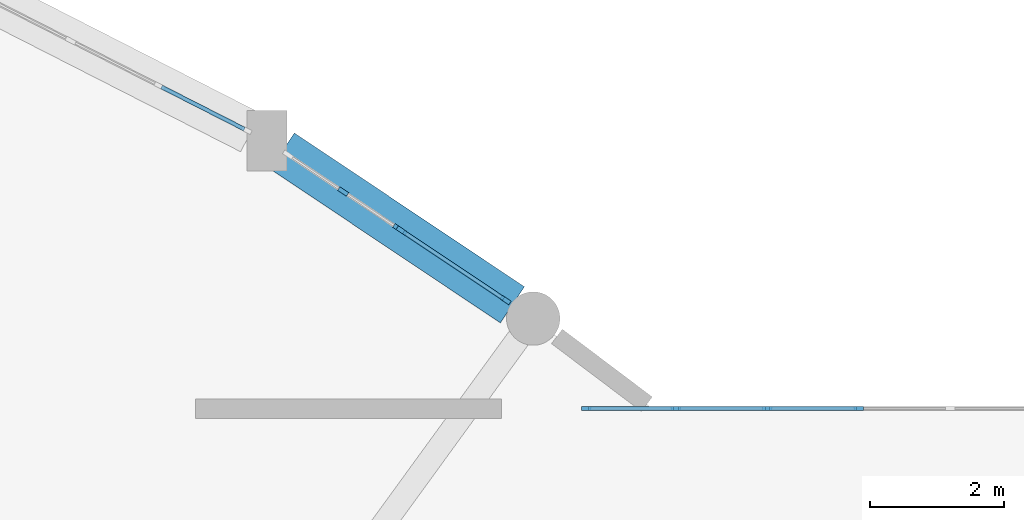
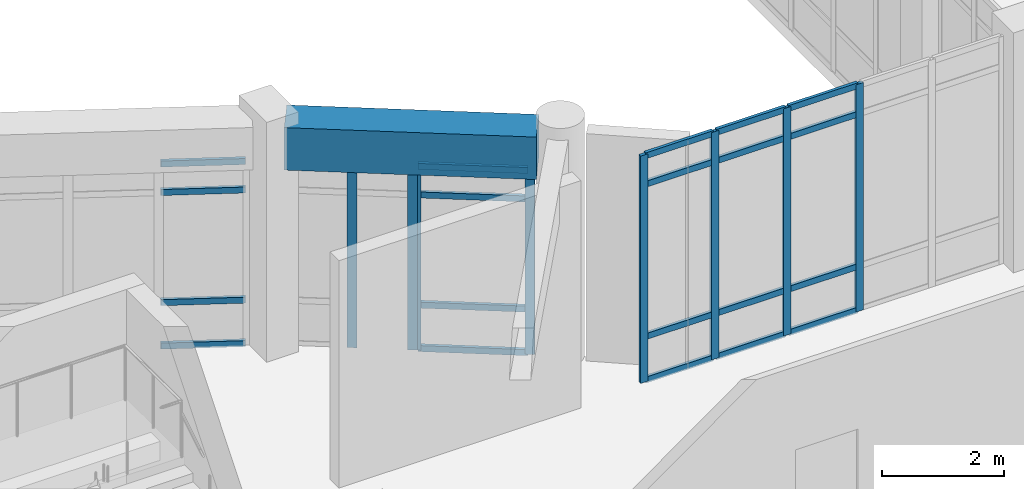
# One storey, part 18 of 65: 28 members, 1 beam, 4 elements without a shape of their own.
"""IFC4 building model written with IfcOpenShell, lengths in metres."""

from ifc_helpers import new_model, si_unit, direction, frame, origin, origin_2d, place, context, subcontext, project, spatial, rectangle, extrude, material, layer, layer_set, material_profile, profile_set, type_object, element, aggregate, save


model = new_model("IFC4")

# Units and contexts
model_context = context("Model", 3, precision=1e-05, world=origin(), true_north=direction((0.0, 1.0)))
body_context = subcontext(model_context, "Body", "Model", "MODEL_VIEW")
ifc_project = project(units=[si_unit("LENGTHUNIT", "METRE"), si_unit("AREAUNIT", "SQUARE_METRE"), si_unit("VOLUMEUNIT", "CUBIC_METRE"), si_unit("PLANEANGLEUNIT", "RADIAN"), si_unit("MASSUNIT", "GRAM", prefix="KILO")], contexts=[model_context])

# Site, building, storey
site_placement = place(None, origin())
site = spatial("IfcSite", under=ifc_project, at=site_placement, CompositionType="ELEMENT")
building_placement = place(site_placement, origin())
building = spatial("IfcBuilding", under=site, at=building_placement, Name="Miralva Faculty of Natural Sciences", CompositionType="ELEMENT")
storey_placement = place(building_placement, frame((0.0, 0.0, 10.199951171875)))
storey = spatial("IfcBuildingStorey", under=building, at=storey_placement, Name="L02", CompositionType="ELEMENT", Elevation=10.199951171875)

# Beam
ifc_material_1 = material(Name="Concrete C40/50", Category="concrete")
ifc_material_profile_1 = material_profile(ifc_material_1, rectangle(XDim=0.64990234375, YDim=0.85009765625, at=origin_2d()), Name="RC 650x850")
ifc_profile_set_1 = profile_set([ifc_material_profile_1], Name="Concrete C40/50")
beam_type = type_object("IfcBeamType", Name="BM-SP03", PredefinedType="SPANDREL", material=ifc_profile_set_1)
beam_placement = place(storey_placement, frame((125.5439453125, 28.554443359375, 4.135009765625), z_axis=(-0.831378794944, 0.555706126759, 0.0), x_axis=(-0.555706126759, -0.831378794944, 0.0)))
element("IfcBeam", 1, at=beam_placement, inside=storey, type_object=beam_type, Name="Curved chord girder SHOUT L02-1", PredefinedType="SPANDREL", context=body_context, shape_type="SweptSolid", body=[
    extrude(rectangle(XDim=0.64990234375, YDim=0.85009765625, at=origin_2d()), origin(), (0.0, 0.0, 1.0), 4.142822265625),
])

# Curtain wall, members
ifc_material_2 = material(Name="Laminated solar-control glass", Category="glass")
ifc_layer_1 = layer(ifc_material_2, 0.179931640625, Name="CW-ARC-L01")
ifc_layer_set_1 = layer_set([ifc_layer_1], Name="Laminated solar-control glass")
curtain_wall_type_1 = type_object("IfcCurtainWallType", Name="CW-ARC-L01", PredefinedType="USERDEFINED", material=ifc_layer_set_1)
curtain_wall_1_placement = place(storey_placement, origin())
curtain_wall_1 = element("IfcCurtainWall", 2, at=curtain_wall_1_placement, inside=storey, type_object=curtain_wall_type_1, Name="Curtain wall CW-02 L02-91", ObjectType="UNITISED CURTAIN WALL", PredefinedType="USERDEFINED")
ifc_material_3 = material(Name="Anodised aluminium", Category="aluminium")
ifc_material_profile_2 = material_profile(ifc_material_3, rectangle(XDim=0.06494140625, YDim=0.159912109375, at=origin_2d()), Name="MULLION 65x160")
ifc_profile_set_2 = profile_set([ifc_material_profile_2], Name="Anodised aluminium")
member_type_1 = type_object("IfcMemberType", Name="CW-M02", PredefinedType="MULLION", material=ifc_profile_set_2)
member_1_placement = place(storey_placement, frame((123.011474609375, 30.25, 0.0), z_axis=(0.0, 0.0, 1.0), x_axis=(0.555589230409, 0.831456918339, 0.0)))
member_1 = element("IfcMember", 3, at=member_1_placement, type_object=member_type_1, Name="CW-02 mullion 2", PredefinedType="MULLION", context=body_context, shape_type="SweptSolid", body=[
    extrude(rectangle(XDim=0.06494140625, YDim=0.159912109375, at=origin_2d()), origin(), (0.0, 0.0, 1.0), 3.705078125),
])
member_2_placement = place(storey_placement, frame((123.836669921875, 29.698486328125, 0.0), z_axis=(0.0, 0.0, 1.0), x_axis=(0.555589230409, 0.831456918339, 0.0)))
member_2 = element("IfcMember", 4, at=member_2_placement, type_object=member_type_1, Name="CW-02 mullion 3", PredefinedType="MULLION", context=body_context, shape_type="SweptSolid", body=[
    extrude(rectangle(XDim=0.06494140625, YDim=0.159912109375, at=origin_2d()), origin(), (0.0, 0.0, 1.0), 3.705078125),
])
aggregate(curtain_wall_1, [member_1, member_2])

curtain_wall_2_placement = place(storey_placement, origin())
curtain_wall_2 = element("IfcCurtainWall", 5, at=curtain_wall_2_placement, inside=storey, type_object=curtain_wall_type_1, Name="Curtain wall CW-02 L02-92", ObjectType="UNITISED CURTAIN WALL", PredefinedType="USERDEFINED")
member_3_placement = place(storey_placement, frame((123.886474609375, 29.665283203125, 0.0), z_axis=(0.0, 0.0, 1.0), x_axis=(0.555546724404, 0.831485319776, 0.0)))
member_3 = element("IfcMember", 6, at=member_3_placement, type_object=member_type_1, Name="CW-02 mullion 1", PredefinedType="MULLION", context=body_context, shape_type="SweptSolid", body=[
    extrude(rectangle(XDim=0.06494140625, YDim=0.159912109375, at=origin_2d()), origin(), (0.0, 0.0, 1.0), 3.705078125),
])
member_4_placement = place(storey_placement, frame((125.441162109375, 28.62646484375, 0.0), z_axis=(0.0, 0.0, 1.0), x_axis=(0.555546724404, 0.831485319776, 0.0)))
member_4 = element("IfcMember", 7, at=member_4_placement, type_object=member_type_1, Name="CW-02 mullion 2", PredefinedType="MULLION", context=body_context, shape_type="SweptSolid", body=[
    extrude(rectangle(XDim=0.06494140625, YDim=0.159912109375, at=origin_2d()), origin(), (0.0, 0.0, 1.0), 3.705078125),
])

ifc_layer_2 = layer(ifc_material_2, 0.179931640625, Name="CW-COM-L01")
ifc_layer_set_2 = layer_set([ifc_layer_2], Name="Laminated solar-control glass")
curtain_wall_type_2 = type_object("IfcCurtainWallType", Name="CW-COM-L01", PredefinedType="USERDEFINED", material=ifc_layer_set_2)
curtain_wall_3_placement = place(storey_placement, origin())
curtain_wall_3 = element("IfcCurtainWall", 8, at=curtain_wall_3_placement, inside=storey, type_object=curtain_wall_type_2, Name="Curtain wall CW-10 L02-299", ObjectType="UNITISED CURTAIN WALL", PredefinedType="USERDEFINED")
ifc_material_profile_3 = material_profile(ifc_material_3, rectangle(XDim=0.06005859375, YDim=0.139892578125, at=origin_2d()), Name="MULLION 60x140")
ifc_profile_set_3 = profile_set([ifc_material_profile_3], Name="Anodised aluminium")
member_type_2 = type_object("IfcMemberType", Name="CW-M03", PredefinedType="MULLION", material=ifc_profile_set_3)
member_5_placement = place(storey_placement, frame((126.64990234375, 27.0, 0.0), z_axis=(0.0, 0.0, 1.0), x_axis=(0.0, 1.0, 0.0)))
member_5 = element("IfcMember", 9, at=member_5_placement, type_object=member_type_2, Name="CW-10 mullion 1", PredefinedType="MULLION", context=body_context, shape_type="SweptSolid", body=[
    extrude(rectangle(XDim=0.06005859375, YDim=0.139892578125, at=origin_2d()), origin(), (0.0, 0.0, 1.0), 4.550048828125),
])
member_6_placement = place(storey_placement, frame((127.989013671875, 27.0, 0.0), z_axis=(0.0, 0.0, 1.0), x_axis=(0.0, 1.0, 0.0)))
member_6 = element("IfcMember", 10, at=member_6_placement, type_object=member_type_2, Name="CW-10 mullion 2", PredefinedType="MULLION", context=body_context, shape_type="SweptSolid", body=[
    extrude(rectangle(XDim=0.06005859375, YDim=0.139892578125, at=origin_2d()), origin(), (0.0, 0.0, 1.0), 4.550048828125),
])
member_7_placement = place(storey_placement, frame((129.35791015625, 27.0, 0.0), z_axis=(0.0, 0.0, 1.0), x_axis=(0.0, 1.0, 0.0)))
member_7 = element("IfcMember", 11, at=member_7_placement, type_object=member_type_2, Name="CW-10 mullion 3", PredefinedType="MULLION", context=body_context, shape_type="SweptSolid", body=[
    extrude(rectangle(XDim=0.06005859375, YDim=0.139892578125, at=origin_2d()), origin(), (0.0, 0.0, 1.0), 4.550048828125),
])
member_8_placement = place(storey_placement, frame((130.72705078125, 27.0, 0.0), z_axis=(0.0, 0.0, 1.0), x_axis=(0.0, 1.0, 0.0)))
member_8 = element("IfcMember", 12, at=member_8_placement, type_object=member_type_2, Name="CW-10 mullion 4", PredefinedType="MULLION", context=body_context, shape_type="SweptSolid", body=[
    extrude(rectangle(XDim=0.06005859375, YDim=0.139892578125, at=origin_2d()), origin(), (0.0, 0.0, 1.0), 4.550048828125),
])

curtain_wall_4_placement = place(storey_placement, origin())
curtain_wall_4 = element("IfcCurtainWall", 13, at=curtain_wall_4_placement, inside=storey, type_object=curtain_wall_type_1, Name="Curtain wall CW-02 L02-90", ObjectType="UNITISED CURTAIN WALL", PredefinedType="USERDEFINED")
ifc_material_profile_4 = material_profile(ifc_material_3, rectangle(XDim=0.06005859375, YDim=0.1201171875, at=origin_2d()), Name="TRANSOM 60x120")
ifc_profile_set_4 = profile_set([ifc_material_profile_4], Name="Anodised aluminium")
member_type_3 = type_object("IfcMemberType", Name="CW-T02", PredefinedType="USERDEFINED", material=ifc_profile_set_4)
member_9_placement = place(storey_placement, frame((120.291259765625, 31.816650390625, 0.030029296875), z_axis=(0.891004754487, -0.453993972958, 0.0), x_axis=(0.453993972958, 0.891004754487, 0.0)))
member_9 = element("IfcMember", 14, at=member_9_placement, type_object=member_type_3, Name="CW-02 transom 3.1", ObjectType="TRANSOM", PredefinedType="USERDEFINED", context=body_context, shape_type="SweptSolid", body=[
    extrude(rectangle(XDim=0.06005859375, YDim=0.1201171875, at=origin_2d()), origin(), (0.0, 0.0, 1.0), 1.39453125),
])
member_10_placement = place(storey_placement, frame((120.291259765625, 31.816650390625, 0.900146484375), z_axis=(0.891004754487, -0.453993972958, 0.0), x_axis=(0.453993972958, 0.891004754487, 0.0)))
member_10 = element("IfcMember", 15, at=member_10_placement, type_object=member_type_3, Name="CW-02 transom 3.2", ObjectType="TRANSOM", PredefinedType="USERDEFINED", context=body_context, shape_type="SweptSolid", body=[
    extrude(rectangle(XDim=0.06005859375, YDim=0.1201171875, at=origin_2d()), origin(), (0.0, 0.0, 1.0), 1.39453125),
])
member_11_placement = place(storey_placement, frame((120.291259765625, 31.816650390625, 3.10498046875), z_axis=(0.891004754487, -0.453993972958, 0.0), x_axis=(0.453993972958, 0.891004754487, 0.0)))
member_11 = element("IfcMember", 16, at=member_11_placement, type_object=member_type_3, Name="CW-02 transom 3.3", ObjectType="TRANSOM", PredefinedType="USERDEFINED", context=body_context, shape_type="SweptSolid", body=[
    extrude(rectangle(XDim=0.06005859375, YDim=0.1201171875, at=origin_2d()), origin(), (0.0, 0.0, 1.0), 1.39453125),
])
member_12_placement = place(storey_placement, frame((120.291259765625, 31.816650390625, 3.675048828125), z_axis=(0.891004754487, -0.453993972958, 0.0), x_axis=(0.453993972958, 0.891004754487, 0.0)))
member_12 = element("IfcMember", 17, at=member_12_placement, type_object=member_type_3, Name="CW-02 transom 3.4", ObjectType="TRANSOM", PredefinedType="USERDEFINED", context=body_context, shape_type="SweptSolid", body=[
    extrude(rectangle(XDim=0.06005859375, YDim=0.1201171875, at=origin_2d()), origin(), (0.0, 0.0, 1.0), 1.39453125),
])
aggregate(curtain_wall_4, [member_9, member_10, member_11, member_12])

# Member
member_13_placement = place(storey_placement, frame((123.91357421875, 29.647216796875, 0.030029296875), z_axis=(0.831487987991, -0.555542730874, 0.0), x_axis=(0.555542730874, 0.831487987991, 0.0)))
member_13 = element("IfcMember", 18, at=member_13_placement, type_object=member_type_3, Name="CW-02 transom 1.1", ObjectType="TRANSOM", PredefinedType="USERDEFINED", context=body_context, shape_type="SweptSolid", body=[
    extrude(rectangle(XDim=0.06005859375, YDim=0.1201171875, at=origin_2d()), origin(), (0.0, 0.0, 1.0), 1.804931640625),
])

member_14_placement = place(storey_placement, frame((123.91357421875, 29.647216796875, 0.900146484375), z_axis=(0.831487987991, -0.555542730874, 0.0), x_axis=(0.555542730874, 0.831487987991, 0.0)))
member_14 = element("IfcMember", 19, at=member_14_placement, type_object=member_type_3, Name="CW-02 transom 1.2", ObjectType="TRANSOM", PredefinedType="USERDEFINED", context=body_context, shape_type="SweptSolid", body=[
    extrude(rectangle(XDim=0.06005859375, YDim=0.1201171875, at=origin_2d()), origin(), (0.0, 0.0, 1.0), 1.804931640625),
])

member_15_placement = place(storey_placement, frame((123.91357421875, 29.647216796875, 3.10498046875), z_axis=(0.831487987991, -0.555542730874, 0.0), x_axis=(0.555542730874, 0.831487987991, 0.0)))
member_15 = element("IfcMember", 20, at=member_15_placement, type_object=member_type_3, Name="CW-02 transom 1.3", ObjectType="TRANSOM", PredefinedType="USERDEFINED", context=body_context, shape_type="SweptSolid", body=[
    extrude(rectangle(XDim=0.06005859375, YDim=0.1201171875, at=origin_2d()), origin(), (0.0, 0.0, 1.0), 1.804931640625),
])

member_16_placement = place(storey_placement, frame((123.91357421875, 29.647216796875, 3.675048828125), z_axis=(0.831487987991, -0.555542730874, 0.0), x_axis=(0.555542730874, 0.831487987991, 0.0)))
member_16 = element("IfcMember", 21, at=member_16_placement, type_object=member_type_3, Name="CW-02 transom 1.4", ObjectType="TRANSOM", PredefinedType="USERDEFINED", context=body_context, shape_type="SweptSolid", body=[
    extrude(rectangle(XDim=0.06005859375, YDim=0.1201171875, at=origin_2d()), origin(), (0.0, 0.0, 1.0), 1.804931640625),
])

aggregate(curtain_wall_2, [member_3, member_4, member_13, member_14, member_15, member_16])

member_17_placement = place(storey_placement, frame((126.679931640625, 27.0, 0.030029296875), z_axis=(1.0, 0.0, 0.0), x_axis=(0.0, 1.0, 0.0)))
member_17 = element("IfcMember", 22, at=member_17_placement, type_object=member_type_3, Name="CW-10 transom 1.1", ObjectType="TRANSOM", PredefinedType="USERDEFINED", context=body_context, shape_type="SweptSolid", body=[
    extrude(rectangle(XDim=0.06005859375, YDim=0.1201171875, at=origin_2d()), origin(), (0.0, 0.0, 1.0), 1.279052734375),
])

member_18_placement = place(storey_placement, frame((126.679931640625, 27.0, 0.900146484375), z_axis=(1.0, 0.0, 0.0), x_axis=(0.0, 1.0, 0.0)))
member_18 = element("IfcMember", 23, at=member_18_placement, type_object=member_type_3, Name="CW-10 transom 1.2", ObjectType="TRANSOM", PredefinedType="USERDEFINED", context=body_context, shape_type="SweptSolid", body=[
    extrude(rectangle(XDim=0.06005859375, YDim=0.1201171875, at=origin_2d()), origin(), (0.0, 0.0, 1.0), 1.279052734375),
])

member_19_placement = place(storey_placement, frame((126.679931640625, 27.0, 3.949951171875), z_axis=(1.0, 0.0, 0.0), x_axis=(0.0, 1.0, 0.0)))
member_19 = element("IfcMember", 24, at=member_19_placement, type_object=member_type_3, Name="CW-10 transom 1.3", ObjectType="TRANSOM", PredefinedType="USERDEFINED", context=body_context, shape_type="SweptSolid", body=[
    extrude(rectangle(XDim=0.06005859375, YDim=0.1201171875, at=origin_2d()), origin(), (0.0, 0.0, 1.0), 1.279052734375),
])

member_20_placement = place(storey_placement, frame((126.679931640625, 27.0, 4.52001953125), z_axis=(1.0, 0.0, 0.0), x_axis=(0.0, 1.0, 0.0)))
member_20 = element("IfcMember", 25, at=member_20_placement, type_object=member_type_3, Name="CW-10 transom 1.4", ObjectType="TRANSOM", PredefinedType="USERDEFINED", context=body_context, shape_type="SweptSolid", body=[
    extrude(rectangle(XDim=0.06005859375, YDim=0.1201171875, at=origin_2d()), origin(), (0.0, 0.0, 1.0), 1.279052734375),
])

member_21_placement = place(storey_placement, frame((128.01904296875, 27.0, 0.030029296875), z_axis=(1.0, 0.0, 0.0), x_axis=(0.0, 1.0, 0.0)))
member_21 = element("IfcMember", 26, at=member_21_placement, type_object=member_type_3, Name="CW-10 transom 2.1", ObjectType="TRANSOM", PredefinedType="USERDEFINED", context=body_context, shape_type="SweptSolid", body=[
    extrude(rectangle(XDim=0.06005859375, YDim=0.1201171875, at=origin_2d()), origin(), (0.0, 0.0, 1.0), 1.308837890625),
])

member_22_placement = place(storey_placement, frame((128.01904296875, 27.0, 0.900146484375), z_axis=(1.0, 0.0, 0.0), x_axis=(0.0, 1.0, 0.0)))
member_22 = element("IfcMember", 27, at=member_22_placement, type_object=member_type_3, Name="CW-10 transom 2.2", ObjectType="TRANSOM", PredefinedType="USERDEFINED", context=body_context, shape_type="SweptSolid", body=[
    extrude(rectangle(XDim=0.06005859375, YDim=0.1201171875, at=origin_2d()), origin(), (0.0, 0.0, 1.0), 1.308837890625),
])

member_23_placement = place(storey_placement, frame((128.01904296875, 27.0, 3.949951171875), z_axis=(1.0, 0.0, 0.0), x_axis=(0.0, 1.0, 0.0)))
member_23 = element("IfcMember", 28, at=member_23_placement, type_object=member_type_3, Name="CW-10 transom 2.3", ObjectType="TRANSOM", PredefinedType="USERDEFINED", context=body_context, shape_type="SweptSolid", body=[
    extrude(rectangle(XDim=0.06005859375, YDim=0.1201171875, at=origin_2d()), origin(), (0.0, 0.0, 1.0), 1.308837890625),
])

member_24_placement = place(storey_placement, frame((128.01904296875, 27.0, 4.52001953125), z_axis=(1.0, 0.0, 0.0), x_axis=(0.0, 1.0, 0.0)))
member_24 = element("IfcMember", 29, at=member_24_placement, type_object=member_type_3, Name="CW-10 transom 2.4", ObjectType="TRANSOM", PredefinedType="USERDEFINED", context=body_context, shape_type="SweptSolid", body=[
    extrude(rectangle(XDim=0.06005859375, YDim=0.1201171875, at=origin_2d()), origin(), (0.0, 0.0, 1.0), 1.308837890625),
])

member_25_placement = place(storey_placement, frame((129.387939453125, 27.0, 0.030029296875), z_axis=(1.0, 0.0, 0.0), x_axis=(0.0, 1.0, 0.0)))
member_25 = element("IfcMember", 30, at=member_25_placement, type_object=member_type_3, Name="CW-10 transom 3.1", ObjectType="TRANSOM", PredefinedType="USERDEFINED", context=body_context, shape_type="SweptSolid", body=[
    extrude(rectangle(XDim=0.06005859375, YDim=0.1201171875, at=origin_2d()), origin(), (0.0, 0.0, 1.0), 1.30908203125),
])

member_26_placement = place(storey_placement, frame((129.387939453125, 27.0, 0.900146484375), z_axis=(1.0, 0.0, 0.0), x_axis=(0.0, 1.0, 0.0)))
member_26 = element("IfcMember", 31, at=member_26_placement, type_object=member_type_3, Name="CW-10 transom 3.2", ObjectType="TRANSOM", PredefinedType="USERDEFINED", context=body_context, shape_type="SweptSolid", body=[
    extrude(rectangle(XDim=0.06005859375, YDim=0.1201171875, at=origin_2d()), origin(), (0.0, 0.0, 1.0), 1.30908203125),
])

member_27_placement = place(storey_placement, frame((129.387939453125, 27.0, 3.949951171875), z_axis=(1.0, 0.0, 0.0), x_axis=(0.0, 1.0, 0.0)))
member_27 = element("IfcMember", 32, at=member_27_placement, type_object=member_type_3, Name="CW-10 transom 3.3", ObjectType="TRANSOM", PredefinedType="USERDEFINED", context=body_context, shape_type="SweptSolid", body=[
    extrude(rectangle(XDim=0.06005859375, YDim=0.1201171875, at=origin_2d()), origin(), (0.0, 0.0, 1.0), 1.30908203125),
])

member_28_placement = place(storey_placement, frame((129.387939453125, 27.0, 4.52001953125), z_axis=(1.0, 0.0, 0.0), x_axis=(0.0, 1.0, 0.0)))
member_28 = element("IfcMember", 33, at=member_28_placement, type_object=member_type_3, Name="CW-10 transom 3.4", ObjectType="TRANSOM", PredefinedType="USERDEFINED", context=body_context, shape_type="SweptSolid", body=[
    extrude(rectangle(XDim=0.06005859375, YDim=0.1201171875, at=origin_2d()), origin(), (0.0, 0.0, 1.0), 1.30908203125),
])

aggregate(curtain_wall_3, [member_5, member_6, member_7, member_8, member_17, member_18, member_19, member_20, member_21, member_22, member_23, member_24, member_25, member_26, member_27, member_28])

save(model, "model.ifc")
